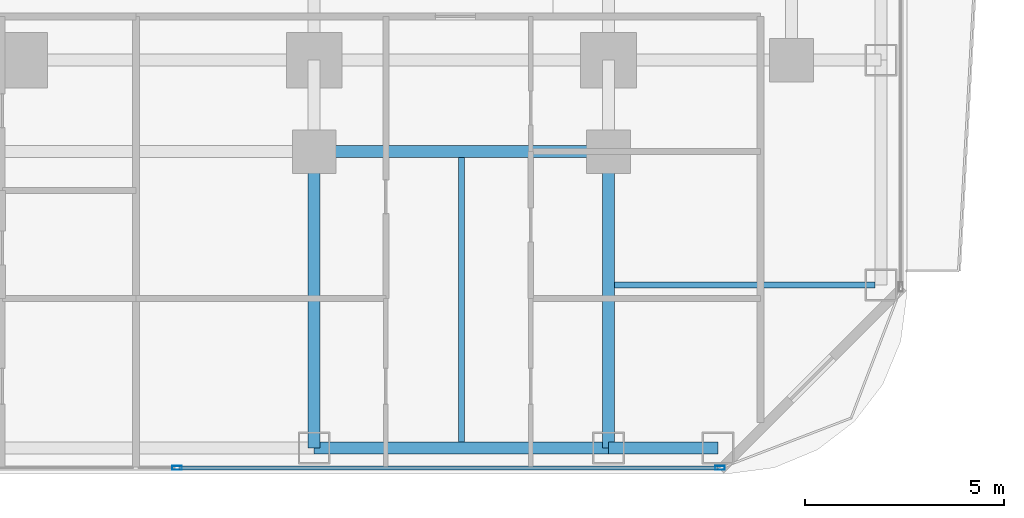
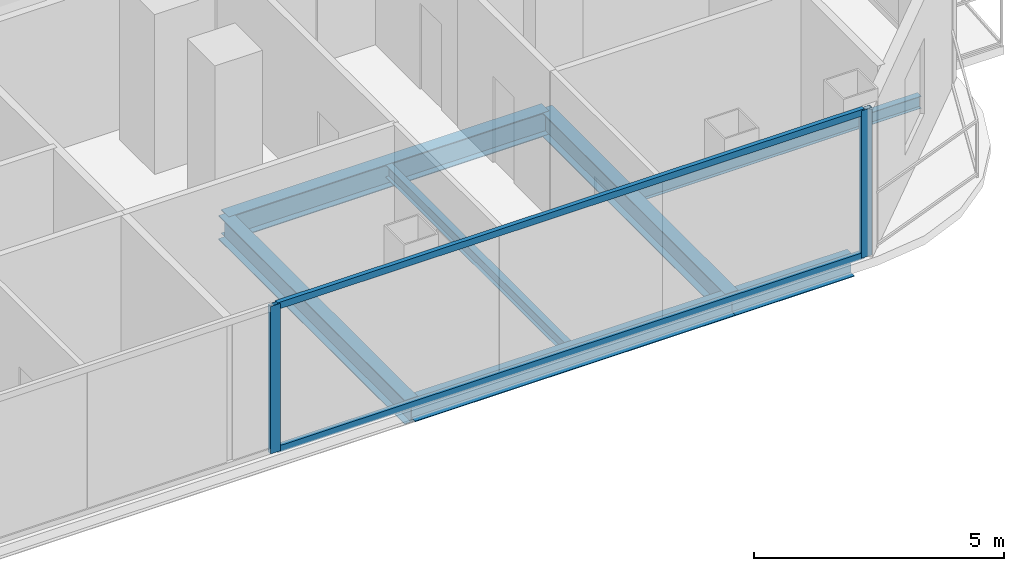
# One storey, part 8 of 29: 7 beams, 4 members, 1 element without a shape of its own.
"""IFC4 building model written with IfcOpenShell, lengths in metres."""

from ifc_helpers import new_model, si_unit, direction, frame, origin, origin_2d, place, context, subcontext, project, spatial, hollow_rectangle, i_section, extrude, material, layer, layer_set, material_profile, profile_set, type_object, element, aggregate, save


model = new_model("IFC4")

# Units and contexts
model_context = context("Model", 3, precision=1e-05, world=origin(), true_north=direction((0.0, 1.0)))
body_context = subcontext(model_context, "Body", "Model", "MODEL_VIEW")
ifc_project = project(units=[si_unit("LENGTHUNIT", "METRE"), si_unit("AREAUNIT", "SQUARE_METRE"), si_unit("VOLUMEUNIT", "CUBIC_METRE"), si_unit("PLANEANGLEUNIT", "RADIAN"), si_unit("MASSUNIT", "GRAM", prefix="KILO")], contexts=[model_context])

# Site, building, storey
site_placement = place(None, origin())
site = spatial("IfcSite", under=ifc_project, at=site_placement, CompositionType="ELEMENT")
building_placement = place(site_placement, origin())
building = spatial("IfcBuilding", under=site, at=building_placement, Name="Khorvyn Point Tower", CompositionType="ELEMENT")
storey_placement = place(building_placement, frame((0.0, 0.0, 73.5)))
storey = spatial("IfcBuildingStorey", under=building, at=storey_placement, Name="L19", CompositionType="ELEMENT", Elevation=73.5)

# Curtain wall, members
ifc_material_1 = material(Name="Anodised aluminium 6063-T6 and laminated Low-E glass", Category="aluminium")
ifc_layer = layer(ifc_material_1, 0.18994140625)
ifc_layer_set = layer_set([ifc_layer], Name="Stick-Built Finned Residential Curtain Wall CW-SYS-02")
curtain_wall_type = type_object("IfcCurtainWallType", Name="Stick-Built Finned Residential Curtain Wall CW-SYS-02", PredefinedType="NOTDEFINED", material=ifc_layer_set)
curtain_wall_placement = place(storey_placement, origin())
curtain_wall = element("IfcCurtainWall", 1, at=curtain_wall_placement, inside=storey, type_object=curtain_wall_type, Name="Curtain Wall", PredefinedType="NOTDEFINED")
ifc_material_2 = material(Name="Anodised aluminium 6063-T6", Category="aluminium")
ifc_material_profile_1 = material_profile(ifc_material_2, hollow_rectangle(XDim=0.10009765625, YDim=0.239990234375, WallThickness=0.0048828125, at=origin_2d()))
ifc_profile_set_1 = profile_set([ifc_material_profile_1], Name="Anodised aluminium 6063-T6 ALU-MUL-100x240")
member_type_1 = type_object("IfcMemberType", Name="Anodised Aluminium 6063-T6 Mullion ALU-MUL-100x240", PredefinedType="MULLION", material=ifc_profile_set_1)
member_1_placement = place(storey_placement, frame((17.60009765625, -25.050048828125, 0.0), z_axis=(0.0, 0.0, 1.0), x_axis=(0.0, -1.0, 0.0)))
member_1 = element("IfcMember", 2, at=member_1_placement, type_object=member_type_1, Name="Transom", PredefinedType="MULLION", context=body_context, shape_type="SweptSolid", body=[
    extrude(hollow_rectangle(XDim=0.10009765625, YDim=0.239990234375, WallThickness=0.0048828125, at=origin_2d()), origin(), (0.0, 0.0, 1.0), 3.60009765625),
])
member_2_placement = place(storey_placement, frame((3.949951171875, -25.050048828125, 0.0), z_axis=(0.0, 0.0, 1.0), x_axis=(0.0, -1.0, 0.0)))
member_2 = element("IfcMember", 3, at=member_2_placement, type_object=member_type_1, Name="Transom", PredefinedType="MULLION", context=body_context, shape_type="SweptSolid", body=[
    extrude(hollow_rectangle(XDim=0.10009765625, YDim=0.239990234375, WallThickness=0.0048828125, at=origin_2d()), origin(), (0.0, 0.0, 1.0), 3.60009765625),
])
ifc_material_profile_2 = material_profile(ifc_material_2, hollow_rectangle(XDim=0.10009765625, YDim=0.159912109375, WallThickness=0.00439453125, at=origin_2d()))
ifc_profile_set_2 = profile_set([ifc_material_profile_2], Name="Anodised aluminium 6063-T6 ALU-TRN-100x160")
member_type_2 = type_object("IfcMemberType", Name="Anodised Aluminium 6063-T6 Transom ALU-TRN-100x160", PredefinedType="USERDEFINED", material=ifc_profile_set_2)
member_3_placement = place(storey_placement, frame((17.550048828125, -25.050048828125, 0.050048828125), z_axis=(-1.0, 0.0, 0.0), x_axis=(0.0, -1.0, 0.0)))
member_3 = element("IfcMember", 4, at=member_3_placement, type_object=member_type_2, Name="Transom", ObjectType="TRANSOM", PredefinedType="USERDEFINED", context=body_context, shape_type="SweptSolid", body=[
    extrude(hollow_rectangle(XDim=0.10009765625, YDim=0.159912109375, WallThickness=0.00439453125, at=origin_2d()), origin(), (0.0, 0.0, 1.0), 13.550048828125),
])
member_4_placement = place(storey_placement, frame((17.550048828125, -25.050048828125, 3.550048828125), z_axis=(-1.0, 0.0, 0.0), x_axis=(0.0, -1.0, 0.0)))
member_4 = element("IfcMember", 5, at=member_4_placement, type_object=member_type_2, Name="Transom", ObjectType="TRANSOM", PredefinedType="USERDEFINED", context=body_context, shape_type="SweptSolid", body=[
    extrude(hollow_rectangle(XDim=0.10009765625, YDim=0.159912109375, WallThickness=0.00439453125, at=origin_2d()), origin(), (0.0, 0.0, 1.0), 13.550048828125),
])
aggregate(curtain_wall, [member_1, member_2, member_3, member_4])

# Beams
ifc_material_3 = material(Name="Steel S355", Category="steel")
ifc_material_profile_3 = material_profile(ifc_material_3, i_section(OverallWidth=0.300048828125, OverallDepth=0.587890625, WebThickness=0.011962890625, FlangeThickness=0.02001953125, at=origin_2d()))
ifc_profile_set_3 = profile_set([ifc_material_profile_3], Name="Steel S355 H588x300x12x20")
beam_type_1 = type_object("IfcBeamType", Name="Steel S355 Beam H588x300x12x20", PredefinedType="BEAM", material=ifc_profile_set_3)
beam_1_placement = place(storey_placement, frame((7.39990234375, -17.10009765625, -0.513916015625), z_axis=(1.0, 0.0, 0.0), x_axis=(0.0, 1.0, 0.0)))
element("IfcBeam", 6, at=beam_1_placement, inside=storey, type_object=beam_type_1, Name="Beam", PredefinedType="BEAM", context=body_context, shape_type="SweptSolid", body=[
    extrude(i_section(OverallWidth=0.300048828125, OverallDepth=0.587890625, WebThickness=0.011962890625, FlangeThickness=0.02001953125, at=origin_2d()), origin(), (0.0, 0.0, 1.0), 7.400146484375),
])
for number, where, z_axis, x_axis, name in (
    (7, (14.800048828125, -24.550048828125, -0.513916015625), (0.0, 1.0, 0.0), (-1.0, 0.0, 0.0), "Beam"),
    (8, (7.39990234375, -24.550048828125, -0.513916015625), (0.0, 1.0, 0.0), (-1.0, 0.0, 0.0), "Beam"),
):
    element("IfcBeam", number, at=place(storey_placement, frame(where, z_axis=z_axis, x_axis=x_axis)), inside=storey, type_object=beam_type_1, Name=name, PredefinedType="BEAM", context=body_context, shape_type="SweptSolid", body=[
        extrude(i_section(OverallWidth=0.300048828125, OverallDepth=0.587890625, WebThickness=0.011962890625, FlangeThickness=0.02001953125, at=origin_2d()), origin(), (0.0, 0.0, 1.0), 7.449951171875),
    ])
ifc_material_profile_4 = material_profile(ifc_material_3, i_section(OverallWidth=0.14990234375, OverallDepth=0.300048828125, WebThickness=0.006591796875, FlangeThickness=0.009033203125, at=origin_2d()))
ifc_profile_set_4 = profile_set([ifc_material_profile_4], Name="Steel S355 H300x150x6.5x9")
beam_type_2 = type_object("IfcBeamType", Name="Steel S355 Joist H300x150x6.5x9", PredefinedType="JOIST", material=ifc_profile_set_4)
beam_2_placement = place(storey_placement, frame((11.10009765625, -24.39990234375, -0.3701171875), z_axis=(0.0, 1.0, 0.0), x_axis=(-1.0, 0.0, 0.0)))
element("IfcBeam", 9, at=beam_2_placement, inside=storey, type_object=beam_type_2, Name="Beam", PredefinedType="JOIST", context=body_context, shape_type="SweptSolid", body=[
    extrude(i_section(OverallWidth=0.14990234375, OverallDepth=0.300048828125, WebThickness=0.006591796875, FlangeThickness=0.009033203125, at=origin_2d()), origin(), (0.0, 0.0, 1.0), 7.14990234375),
])
beam_3_placement = place(storey_placement, frame((14.949951171875, -20.449951171875, -0.3701171875), z_axis=(1.0, 0.0, 0.0), x_axis=(0.0, 1.0, 0.0)))
element("IfcBeam", 10, at=beam_3_placement, inside=storey, type_object=beam_type_2, Name="Beam", PredefinedType="JOIST", context=body_context, shape_type="SweptSolid", body=[
    extrude(i_section(OverallWidth=0.14990234375, OverallDepth=0.300048828125, WebThickness=0.006591796875, FlangeThickness=0.009033203125, at=origin_2d()), origin(), (0.0, 0.0, 1.0), 6.550048828125),
])
ifc_material_profile_5 = material_profile(ifc_material_3, i_section(OverallWidth=0.300048828125, OverallDepth=0.488037109375, WebThickness=0.010986328125, FlangeThickness=0.01806640625, at=origin_2d()))
ifc_profile_set_5 = profile_set([ifc_material_profile_5], Name="Steel S355 H488x300x11x18")
beam_type_3 = type_object("IfcBeamType", Name="Steel S355 Spandrel H488x300x11x18", PredefinedType="SPANDREL", material=ifc_profile_set_5)
beam_4_placement = place(storey_placement, frame((7.39990234375, -24.550048828125, -0.464111328125), z_axis=(1.0, 0.0, 0.0), x_axis=(0.0, 1.0, 0.0)))
element("IfcBeam", 11, at=beam_4_placement, inside=storey, type_object=beam_type_3, Name="Beam", PredefinedType="SPANDREL", context=body_context, shape_type="SweptSolid", body=[
    extrude(i_section(OverallWidth=0.300048828125, OverallDepth=0.488037109375, WebThickness=0.010986328125, FlangeThickness=0.01806640625, at=origin_2d()), origin(), (0.0, 0.0, 1.0), 7.400146484375),
])
beam_5_placement = place(storey_placement, frame((14.800048828125, -24.550048828125, -0.464111328125), z_axis=(1.0, 0.0, 0.0), x_axis=(0.0, 1.0, 0.0)))
element("IfcBeam", 12, at=beam_5_placement, inside=storey, type_object=beam_type_3, Name="Beam", PredefinedType="SPANDREL", context=body_context, shape_type="SweptSolid", body=[
    extrude(i_section(OverallWidth=0.300048828125, OverallDepth=0.488037109375, WebThickness=0.010986328125, FlangeThickness=0.01806640625, at=origin_2d()), origin(), (0.0, 0.0, 1.0), 2.75),
])

save(model, "model.ifc")
